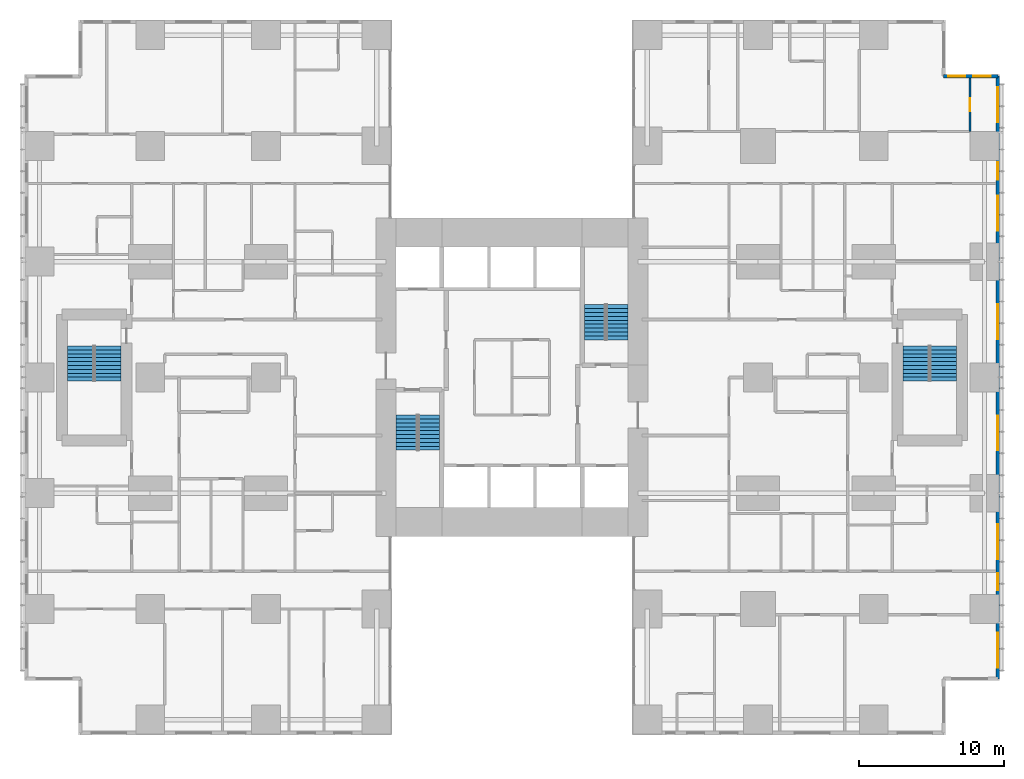
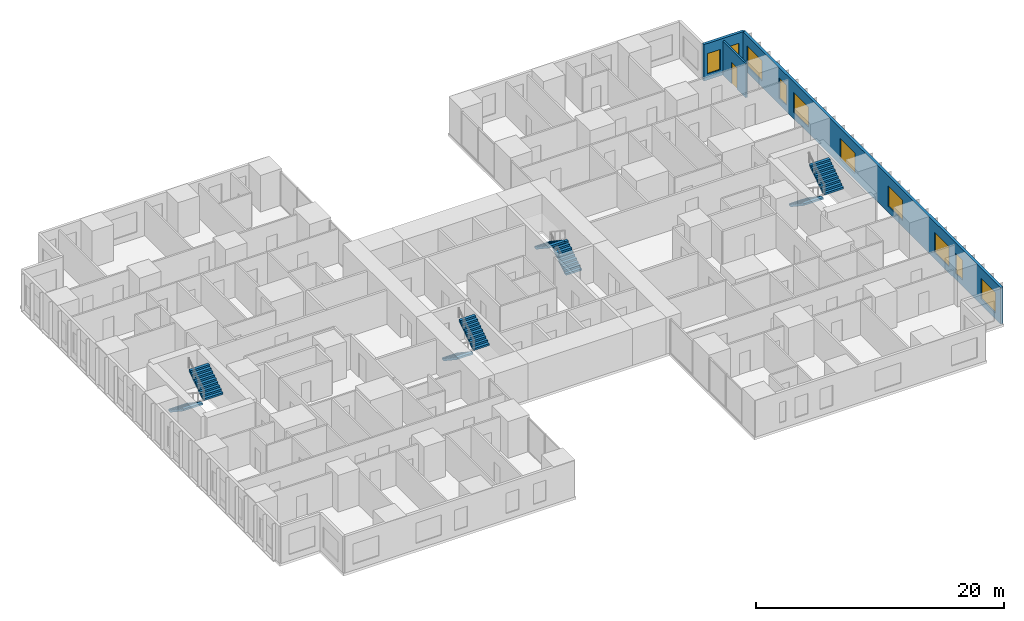
# One storey, part 19 of 20: 10 windows, 8 stair flights, 3 walls, 1 door, 11 openings, 4 elements without a shape of their own.
"""IFC4 building model written with IfcOpenShell, lengths in metres."""

from ifc_helpers import new_model, si_unit, direction, frame, frame_2d, origin, place, context, subcontext, project, spatial, polyline, rectangle, outline, extrude, material, layer, layer_set, type_object, element, fill, aggregate, save


model = new_model("IFC4")

# Units and contexts
model_context = context("Model", 3, precision=1e-05, world=origin(), true_north=direction((0.0, 1.0)))
body_context = subcontext(model_context, "Body", "Model", "MODEL_VIEW")
ifc_project = project(units=[si_unit("LENGTHUNIT", "METRE"), si_unit("AREAUNIT", "SQUARE_METRE"), si_unit("VOLUMEUNIT", "CUBIC_METRE"), si_unit("PLANEANGLEUNIT", "RADIAN"), si_unit("MASSUNIT", "GRAM", prefix="KILO")], contexts=[model_context])

# Site, building, storey
site_placement = place(None, origin())
site = spatial("IfcSite", under=ifc_project, at=site_placement, CompositionType="ELEMENT")
building_placement = place(site_placement, origin())
building = spatial("IfcBuilding", under=site, at=building_placement, Name="Cleftline Residences", CompositionType="ELEMENT")
storey_placement = place(building_placement, frame((0.0, 0.0, 44.0)))
storey = spatial("IfcBuildingStorey", under=building, at=storey_placement, Name="L10", CompositionType="ELEMENT", Elevation=44.0)

# Wall, openings, windows
ifc_material_1 = material(Name="Rendered reinforced concrete blockwork", Category="masonry")
ifc_layer_1 = layer(ifc_material_1, 0.25)
ifc_layer_set_1 = layer_set([ifc_layer_1], Name="EXTERNAL WALL 250")
wall_type_1 = type_object("IfcWallType", Name="EXTERNAL WALL 250", PredefinedType="SOLIDWALL", material=ifc_layer_set_1)
wall_1_placement = place(storey_placement, frame((66.574951171875, 3.175048828125, 0.0), z_axis=(0.0, 0.0, 1.0), x_axis=(0.0, 1.0, 0.0)))
wall_1 = element("IfcWall", 1, at=wall_1_placement, inside=storey, type_object=wall_type_1, Name="External wall", PredefinedType="SOLIDWALL", context=body_context, shape_type="SweptSolid", body=[
    extrude(rectangle(XDim=41.64990234375, YDim=0.25, at=frame_2d((20.824951171875, 0.0))), origin(), (0.0, 0.0, 1.0), 3.60009765625),
])
opening_1_placement = place(wall_1_placement, frame((0.77490234375, 0.0, 0.60009765625)))
opening_1 = element("IfcOpeningElement", 2, at=opening_1_placement, cuts=wall_1, Name="Opening W6", PredefinedType="OPENING", context=body_context, shape_type="SweptSolid", body=[
    extrude(rectangle(XDim=2.39990234375, YDim=2.0, at=frame_2d((1.199951171875, 1.0))), frame((0.0, 0.135009765625, 0.0), z_axis=(0.0, -1.0, 0.0), x_axis=(1.0, 0.0, 0.0)), (0.0, 0.0, 1.0), 0.27001953125),
])
opening_2_placement = place(wall_1_placement, frame((6.10009765625, 0.0, 0.60009765625)))
opening_2 = element("IfcOpeningElement", 3, at=opening_2_placement, cuts=wall_1, Name="Opening W8", PredefinedType="OPENING", context=body_context, shape_type="SweptSolid", body=[
    extrude(rectangle(XDim=1.199951171875, YDim=2.0, at=frame_2d((0.60009765625, 1.0))), frame((0.0, 0.135009765625, 0.0), z_axis=(0.0, -1.0, 0.0), x_axis=(1.0, 0.0, 0.0)), (0.0, 0.0, 1.0), 0.27001953125),
])
opening_3_placement = place(wall_1_placement, frame((8.27490234375, 0.0, 0.60009765625)))
opening_3 = element("IfcOpeningElement", 4, at=opening_3_placement, cuts=wall_1, Name="Opening W6", PredefinedType="OPENING", context=body_context, shape_type="SweptSolid", body=[
    extrude(rectangle(XDim=2.39990234375, YDim=2.0, at=frame_2d((1.199951171875, 1.0))), frame((0.0, 0.135009765625, 0.0), z_axis=(0.0, -1.0, 0.0), x_axis=(1.0, 0.0, 0.0)), (0.0, 0.0, 1.0), 0.27001953125),
])
opening_4_placement = place(wall_1_placement, frame((15.77490234375, 0.0, 0.60009765625)))
opening_4 = element("IfcOpeningElement", 5, at=opening_4_placement, cuts=wall_1, Name="Opening W6", PredefinedType="OPENING", context=body_context, shape_type="SweptSolid", body=[
    extrude(rectangle(XDim=2.39990234375, YDim=2.0, at=frame_2d((1.199951171875, 1.0))), frame((0.0, 0.135009765625, 0.0), z_axis=(0.0, -1.0, 0.0), x_axis=(1.0, 0.0, 0.0)), (0.0, 0.0, 1.0), 0.27001953125),
])
opening_5_placement = place(wall_1_placement, frame((23.47509765625, 0.0, 0.60009765625)))
opening_5 = element("IfcOpeningElement", 6, at=opening_5_placement, cuts=wall_1, Name="Opening W6", PredefinedType="OPENING", context=body_context, shape_type="SweptSolid", body=[
    extrude(rectangle(XDim=2.39990234375, YDim=2.0, at=frame_2d((1.199951171875, 1.0))), frame((0.0, 0.135009765625, 0.0), z_axis=(0.0, -1.0, 0.0), x_axis=(1.0, 0.0, 0.0)), (0.0, 0.0, 1.0), 0.27001953125),
])
opening_6_placement = place(wall_1_placement, frame((30.97509765625, 0.0, 0.60009765625)))
opening_6 = element("IfcOpeningElement", 7, at=opening_6_placement, cuts=wall_1, Name="Opening W6", PredefinedType="OPENING", context=body_context, shape_type="SweptSolid", body=[
    extrude(rectangle(XDim=2.39990234375, YDim=2.0, at=frame_2d((1.199951171875, 1.0))), frame((0.0, 0.135009765625, 0.0), z_axis=(0.0, -1.0, 0.0), x_axis=(1.0, 0.0, 0.0)), (0.0, 0.0, 1.0), 0.27001953125),
])
opening_7_placement = place(wall_1_placement, frame((34.5, 0.0, 0.60009765625)))
opening_7 = element("IfcOpeningElement", 8, at=opening_7_placement, cuts=wall_1, Name="Opening W8", PredefinedType="OPENING", context=body_context, shape_type="SweptSolid", body=[
    extrude(rectangle(XDim=1.199951171875, YDim=2.0, at=frame_2d((0.60009765625, 1.0))), frame((0.0, 0.135009765625, 0.0), z_axis=(0.0, -1.0, 0.0), x_axis=(1.0, 0.0, 0.0)), (0.0, 0.0, 1.0), 0.27001953125),
])
opening_8_placement = place(wall_1_placement, frame((38.47509765625, 0.0, 0.60009765625)))
opening_8 = element("IfcOpeningElement", 9, at=opening_8_placement, cuts=wall_1, Name="Opening W6", PredefinedType="OPENING", context=body_context, shape_type="SweptSolid", body=[
    extrude(rectangle(XDim=2.39990234375, YDim=2.0, at=frame_2d((1.199951171875, 1.0))), frame((0.0, 0.135009765625, 0.0), z_axis=(0.0, -1.0, 0.0), x_axis=(1.0, 0.0, 0.0)), (0.0, 0.0, 1.0), 0.27001953125),
])
ifc_material_2 = material(Name="Aluminium frame, clear double glazing", Category="aluminium")
window_type_1 = type_object("IfcWindowType", Name="WINDOW 1200X2000", PartitioningType="DOUBLE_PANEL_VERTICAL", PredefinedType="WINDOW", material=ifc_material_2)
window_1_placement = place(opening_2_placement, origin())
window_1 = element("IfcWindow", 10, at=window_1_placement, inside=storey, type_object=window_type_1, Name="Window", OverallHeight=2.0, OverallWidth=1.199951171875, PartitioningType="SINGLE_PANEL", PredefinedType="WINDOW", context=body_context, shape_type="SweptSolid", body=[
    extrude(rectangle(XDim=1.199951171875, YDim=2.0, at=frame_2d((0.60009765625, 1.0))), frame((0.0, 0.030029296875, 0.0), z_axis=(0.0, -1.0, 0.0), x_axis=(1.0, 0.0, 0.0)), (0.0, 0.0, 1.0), 0.06005859375),
])
fill(opening_2, window_1)
window_2_placement = place(opening_7_placement, origin())
window_2 = element("IfcWindow", 11, at=window_2_placement, inside=storey, type_object=window_type_1, Name="Window", OverallHeight=2.0, OverallWidth=1.199951171875, PartitioningType="SINGLE_PANEL", PredefinedType="WINDOW", context=body_context, shape_type="SweptSolid", body=[
    extrude(rectangle(XDim=1.199951171875, YDim=2.0, at=frame_2d((0.60009765625, 1.0))), frame((0.0, 0.030029296875, 0.0), z_axis=(0.0, -1.0, 0.0), x_axis=(1.0, 0.0, 0.0)), (0.0, 0.0, 1.0), 0.06005859375),
])
fill(opening_7, window_2)
ifc_material_3 = material(Name="Aluminium frame, clear double glazing", Category="aluminium")
window_type_2 = type_object("IfcWindowType", Name="WINDOW 2400X2000", PartitioningType="DOUBLE_PANEL_VERTICAL", PredefinedType="WINDOW", material=ifc_material_3)
window_3_placement = place(opening_1_placement, origin())
window_3 = element("IfcWindow", 12, at=window_3_placement, inside=storey, type_object=window_type_2, Name="Window", OverallHeight=2.0, OverallWidth=2.39990234375, PartitioningType="SINGLE_PANEL", PredefinedType="WINDOW", context=body_context, shape_type="SweptSolid", body=[
    extrude(rectangle(XDim=2.39990234375, YDim=2.0, at=frame_2d((1.199951171875, 1.0))), frame((0.0, 0.030029296875, 0.0), z_axis=(0.0, -1.0, 0.0), x_axis=(1.0, 0.0, 0.0)), (0.0, 0.0, 1.0), 0.06005859375),
])
fill(opening_1, window_3)
window_4_placement = place(opening_3_placement, origin())
window_4 = element("IfcWindow", 13, at=window_4_placement, inside=storey, type_object=window_type_2, Name="Window", OverallHeight=2.0, OverallWidth=2.39990234375, PartitioningType="SINGLE_PANEL", PredefinedType="WINDOW", context=body_context, shape_type="SweptSolid", body=[
    extrude(rectangle(XDim=2.39990234375, YDim=2.0, at=frame_2d((1.199951171875, 1.0))), frame((0.0, 0.030029296875, 0.0), z_axis=(0.0, -1.0, 0.0), x_axis=(1.0, 0.0, 0.0)), (0.0, 0.0, 1.0), 0.06005859375),
])
fill(opening_3, window_4)
window_5_placement = place(opening_4_placement, origin())
window_5 = element("IfcWindow", 14, at=window_5_placement, inside=storey, type_object=window_type_2, Name="Window", OverallHeight=2.0, OverallWidth=2.39990234375, PartitioningType="SINGLE_PANEL", PredefinedType="WINDOW", context=body_context, shape_type="SweptSolid", body=[
    extrude(rectangle(XDim=2.39990234375, YDim=2.0, at=frame_2d((1.199951171875, 1.0))), frame((0.0, 0.030029296875, 0.0), z_axis=(0.0, -1.0, 0.0), x_axis=(1.0, 0.0, 0.0)), (0.0, 0.0, 1.0), 0.06005859375),
])
fill(opening_4, window_5)
window_6_placement = place(opening_5_placement, origin())
window_6 = element("IfcWindow", 15, at=window_6_placement, inside=storey, type_object=window_type_2, Name="Window", OverallHeight=2.0, OverallWidth=2.39990234375, PartitioningType="SINGLE_PANEL", PredefinedType="WINDOW", context=body_context, shape_type="SweptSolid", body=[
    extrude(rectangle(XDim=2.39990234375, YDim=2.0, at=frame_2d((1.199951171875, 1.0))), frame((0.0, 0.030029296875, 0.0), z_axis=(0.0, -1.0, 0.0), x_axis=(1.0, 0.0, 0.0)), (0.0, 0.0, 1.0), 0.06005859375),
])
fill(opening_5, window_6)
window_7_placement = place(opening_6_placement, origin())
window_7 = element("IfcWindow", 16, at=window_7_placement, inside=storey, type_object=window_type_2, Name="Window", OverallHeight=2.0, OverallWidth=2.39990234375, PartitioningType="SINGLE_PANEL", PredefinedType="WINDOW", context=body_context, shape_type="SweptSolid", body=[
    extrude(rectangle(XDim=2.39990234375, YDim=2.0, at=frame_2d((1.199951171875, 1.0))), frame((0.0, 0.030029296875, 0.0), z_axis=(0.0, -1.0, 0.0), x_axis=(1.0, 0.0, 0.0)), (0.0, 0.0, 1.0), 0.06005859375),
])
fill(opening_6, window_7)
window_8_placement = place(opening_8_placement, origin())
window_8 = element("IfcWindow", 17, at=window_8_placement, inside=storey, type_object=window_type_2, Name="Window", OverallHeight=2.0, OverallWidth=2.39990234375, PartitioningType="SINGLE_PANEL", PredefinedType="WINDOW", context=body_context, shape_type="SweptSolid", body=[
    extrude(rectangle(XDim=2.39990234375, YDim=2.0, at=frame_2d((1.199951171875, 1.0))), frame((0.0, 0.030029296875, 0.0), z_axis=(0.0, -1.0, 0.0), x_axis=(1.0, 0.0, 0.0)), (0.0, 0.0, 1.0), 0.06005859375),
])
fill(opening_8, window_8)

wall_2_placement = place(storey_placement, frame((66.574951171875, 44.824951171875, 0.0), z_axis=(0.0, 0.0, 1.0), x_axis=(-1.0, 0.0, 0.0)))
wall_2 = element("IfcWall", 18, at=wall_2_placement, inside=storey, type_object=wall_type_1, Name="External wall", PredefinedType="SOLIDWALL", context=body_context, shape_type="SweptSolid", body=[
    extrude(rectangle(XDim=3.75, YDim=0.25, at=frame_2d((1.875, 0.0))), origin(), (0.0, 0.0, 1.0), 3.60009765625),
])
opening_9_placement = place(wall_2_placement, frame((0.5, 0.0, 0.60009765625)))
opening_9 = element("IfcOpeningElement", 19, at=opening_9_placement, cuts=wall_2, Name="Opening W8", PredefinedType="OPENING", context=body_context, shape_type="SweptSolid", body=[
    extrude(rectangle(XDim=1.199951171875, YDim=2.0, at=frame_2d((0.60009765625, 1.0))), frame((0.0, 0.135009765625, 0.0), z_axis=(0.0, -1.0, 0.0), x_axis=(1.0, 0.0, 0.0)), (0.0, 0.0, 1.0), 0.27001953125),
])
opening_10_placement = place(wall_2_placement, frame((2.237548828125, 0.0, 0.60009765625)))
opening_10 = element("IfcOpeningElement", 20, at=opening_10_placement, cuts=wall_2, Name="Opening W8", PredefinedType="OPENING", context=body_context, shape_type="SweptSolid", body=[
    extrude(rectangle(XDim=1.199951171875, YDim=2.0, at=frame_2d((0.60009765625, 1.0))), frame((0.0, 0.135009765625, 0.0), z_axis=(0.0, -1.0, 0.0), x_axis=(1.0, 0.0, 0.0)), (0.0, 0.0, 1.0), 0.27001953125),
])
window_9_placement = place(opening_9_placement, origin())
window_9 = element("IfcWindow", 21, at=window_9_placement, inside=storey, type_object=window_type_1, Name="Window", OverallHeight=2.0, OverallWidth=1.199951171875, PartitioningType="SINGLE_PANEL", PredefinedType="WINDOW", context=body_context, shape_type="SweptSolid", body=[
    extrude(rectangle(XDim=1.199951171875, YDim=2.0, at=frame_2d((0.60009765625, 1.0))), frame((0.0, 0.030029296875, 0.0), z_axis=(0.0, -1.0, 0.0), x_axis=(1.0, 0.0, 0.0)), (0.0, 0.0, 1.0), 0.06005859375),
])
fill(opening_9, window_9)
window_10_placement = place(opening_10_placement, origin())
window_10 = element("IfcWindow", 22, at=window_10_placement, inside=storey, type_object=window_type_1, Name="Window", OverallHeight=2.0, OverallWidth=1.199951171875, PartitioningType="SINGLE_PANEL", PredefinedType="WINDOW", context=body_context, shape_type="SweptSolid", body=[
    extrude(rectangle(XDim=1.199951171875, YDim=2.0, at=frame_2d((0.60009765625, 1.0))), frame((0.0, 0.030029296875, 0.0), z_axis=(0.0, -1.0, 0.0), x_axis=(1.0, 0.0, 0.0)), (0.0, 0.0, 1.0), 0.06005859375),
])
fill(opening_10, window_10)

# Wall, opening, door
ifc_material_4 = material(Name="Gypsum board on steel studs", Category="steel")
ifc_layer_2 = layer(ifc_material_4, 0.14990234375)
ifc_layer_set_2 = layer_set([ifc_layer_2], Name="PARTITION 150")
wall_type_2 = type_object("IfcWallType", Name="PARTITION 150", PredefinedType="PARTITIONING", material=ifc_layer_set_2)
wall_3_placement = place(storey_placement, frame((64.64990234375, 41.0, 0.0), z_axis=(0.0, 0.0, 1.0), x_axis=(0.0, 1.0, 0.0)))
wall_3 = element("IfcWall", 23, at=wall_3_placement, inside=storey, type_object=wall_type_2, Name="Partition", PredefinedType="PARTITIONING", context=body_context, shape_type="SweptSolid", body=[
    extrude(rectangle(XDim=3.699951171875, YDim=0.14990234375, at=frame_2d((1.85009765625, 0.0))), origin(), (0.0, 0.0, 1.0), 3.35009765625),
])
opening_11_placement = place(wall_3_placement, frame((1.39990234375, 0.0, 0.0)))
opening_11 = element("IfcOpeningElement", 24, at=opening_11_placement, cuts=wall_3, Name="Opening D1", PredefinedType="OPENING", context=body_context, shape_type="SweptSolid", body=[
    extrude(rectangle(XDim=0.89990234375, YDim=2.10009765625, at=frame_2d((0.449951171875, 1.050048828125))), frame((0.0, 0.0849609375, 0.0), z_axis=(0.0, -1.0, 0.0), x_axis=(1.0, 0.0, 0.0)), (0.0, 0.0, 1.0), 0.169921875),
])
ifc_material_5 = material(Name="Timber veneer on solid core", Category="wood")
door_type = type_object("IfcDoorType", Name="DOOR 900X2100", OperationType="SINGLE_SWING_LEFT", PredefinedType="DOOR", material=ifc_material_5)
door_placement = place(opening_11_placement, origin())
door = element("IfcDoor", 25, at=door_placement, inside=storey, type_object=door_type, Name="Door to walk-in wardrobe", OperationType="SINGLE_SWING_LEFT", OverallHeight=2.10009765625, OverallWidth=0.89990234375, PredefinedType="DOOR", context=body_context, shape_type="SweptSolid", body=[
    extrude(rectangle(XDim=0.89990234375, YDim=2.10009765625, at=frame_2d((0.449951171875, 1.050048828125))), frame((0.0, 0.02490234375, 0.0), z_axis=(0.0, -1.0, 0.0), x_axis=(1.0, 0.0, 0.0)), (0.0, 0.0, 1.0), 0.050048828125),
])
fill(opening_11, door)

# Stair, stair flights
ifc_material_6 = material(Name="Concrete B45, stone treads", Category="masonry")
stair_type_1 = type_object("IfcStairType", Name="STAIR A 1450 WIDE 180 RISER", PredefinedType="HALF_TURN_STAIR", material=ifc_material_6)
stair_1_placement = place(storey_placement, origin())
stair_1 = element("IfcStair", 26, at=stair_1_placement, inside=storey, type_object=stair_type_1, Name="Stair A L10", PredefinedType="HALF_TURN_STAIR")
ifc_material_7 = material(Name="Concrete B45", Category="concrete")
stair_flight_type_1 = type_object("IfcStairFlightType", Name="STAIR A FLIGHT 1450X180", PredefinedType="STRAIGHT", material=ifc_material_7)
stair_flight_1_placement = place(storey_placement, frame((25.72509765625, 21.39990234375, 0.0), z_axis=(0.0, 0.0, 1.0), x_axis=(0.0, -1.0, 0.0)))
stair_flight_1 = element("IfcStairFlight", 27, at=stair_flight_1_placement, type_object=stair_flight_type_1, Name="ST-A flight 1", NumberOfRisers=10, NumberOfTreads=9, PredefinedType="STRAIGHT", RiserHeight=0.18, TreadLength=0.27, context=body_context, shape_type="SweptSolid", body=[
    extrude(outline(polyline([(0.0, 0.0), (0.0, 0.013916015625), (0.0, 0.027587890625), (0.0, 0.04150390625), (0.0, 0.055419921875), (0.0, 0.0693359375), (0.0, 0.0830078125), (0.0, 0.096923828125), (0.0, 0.11083984375), (0.0, 0.12451171875), (0.0, 0.138427734375), (0.0, 0.15234375), (0.0, 0.166259765625), (0.0, 0.179931640625), (0.27001953125, 0.179931640625), (0.27001953125, 0.360107421875), (0.5400390625, 0.360107421875), (0.5400390625, 0.5400390625), (0.81005859375, 0.5400390625), (0.81005859375, 0.719970703125), (1.080078125, 0.719970703125), (1.080078125, 0.89990234375), (1.35009765625, 0.89990234375), (1.35009765625, 1.080078125), (1.6201171875, 1.080078125), (1.6201171875, 1.260009765625), (1.889892578125, 1.260009765625), (1.889892578125, 1.43994140625), (2.159912109375, 1.43994140625), (2.159912109375, 1.6201171875), (2.429931640625, 1.6201171875), (2.429931640625, 1.800048828125), (2.429931640625, 1.772216796875), (2.429931640625, 1.74462890625), (2.429931640625, 1.716796875), (2.429931640625, 1.689208984375), (2.429931640625, 1.661376953125), (2.429931640625, 1.6337890625), (2.429931640625, 1.60595703125), (2.429931640625, 1.578369140625), (2.429931640625, 1.550537109375), (2.429931640625, 1.52294921875), (2.429931640625, 1.495361328125), (2.429931640625, 1.467529296875), (2.429931640625, 1.43994140625), (0.270263671875, 0.0), (0.0, 0.0)])), frame((0.0, 0.72509765625, 0.0), z_axis=(0.0, -1.0, 0.0), x_axis=(1.0, 0.0, 0.0)), (0.0, 0.0, 1.0), 1.449951171875),
])
stair_flight_2_placement = place(storey_placement, frame((27.27490234375, 18.969970703125, 1.800048828125), z_axis=(0.0, 0.0, 1.0), x_axis=(0.0, 1.0, 0.0)))
stair_flight_2 = element("IfcStairFlight", 28, at=stair_flight_2_placement, type_object=stair_flight_type_1, Name="ST-A flight 2", NumberOfRisers=10, NumberOfTreads=9, PredefinedType="STRAIGHT", RiserHeight=0.18, TreadLength=0.27, context=body_context, shape_type="SweptSolid", body=[
    extrude(outline(polyline([(0.0, 0.0), (0.0, 0.013916015625), (0.0, 0.027587890625), (0.0, 0.04150390625), (0.0, 0.055419921875), (0.0, 0.0693359375), (0.0, 0.0830078125), (0.0, 0.096923828125), (0.0, 0.11083984375), (0.0, 0.12451171875), (0.0, 0.138427734375), (0.0, 0.15234375), (0.0, 0.166259765625), (0.0, 0.179931640625), (0.27001953125, 0.179931640625), (0.27001953125, 0.360107421875), (0.5400390625, 0.360107421875), (0.5400390625, 0.5400390625), (0.81005859375, 0.5400390625), (0.81005859375, 0.719970703125), (1.080078125, 0.719970703125), (1.080078125, 0.89990234375), (1.35009765625, 0.89990234375), (1.35009765625, 1.080078125), (1.6201171875, 1.080078125), (1.6201171875, 1.260009765625), (1.889892578125, 1.260009765625), (1.889892578125, 1.43994140625), (2.159912109375, 1.43994140625), (2.159912109375, 1.6201171875), (2.429931640625, 1.6201171875), (2.429931640625, 1.800048828125), (2.429931640625, 1.772216796875), (2.429931640625, 1.74462890625), (2.429931640625, 1.716796875), (2.429931640625, 1.689208984375), (2.429931640625, 1.661376953125), (2.429931640625, 1.6337890625), (2.429931640625, 1.60595703125), (2.429931640625, 1.578369140625), (2.429931640625, 1.550537109375), (2.429931640625, 1.52294921875), (2.429931640625, 1.495361328125), (2.429931640625, 1.467529296875), (2.429931640625, 1.43994140625), (0.270263671875, 0.0), (0.0, 0.0)])), frame((0.0, 0.72509765625, 0.0), z_axis=(0.0, -1.0, 0.0), x_axis=(1.0, 0.0, 0.0)), (0.0, 0.0, 1.0), 1.449951171875),
])
aggregate(stair_1, [stair_flight_1, stair_flight_2])

ifc_material_8 = material(Name="Concrete B45, stone treads", Category="masonry")
stair_type_2 = type_object("IfcStairType", Name="STAIR B 1450 WIDE 180 RISER", PredefinedType="HALF_TURN_STAIR", material=ifc_material_8)
stair_2_placement = place(storey_placement, origin())
stair_2 = element("IfcStair", 29, at=stair_2_placement, inside=storey, type_object=stair_type_2, Name="Stair B L10", PredefinedType="HALF_TURN_STAIR")
ifc_material_9 = material(Name="Concrete B45", Category="concrete")
stair_flight_type_2 = type_object("IfcStairFlightType", Name="STAIR B FLIGHT 1450X180", PredefinedType="STRAIGHT", material=ifc_material_9)
stair_flight_3_placement = place(storey_placement, frame((40.27490234375, 26.60009765625, 0.0), z_axis=(0.0, 0.0, 1.0), x_axis=(0.0, 1.0, 0.0)))
stair_flight_3 = element("IfcStairFlight", 30, at=stair_flight_3_placement, type_object=stair_flight_type_2, Name="ST-B flight 1", NumberOfRisers=10, NumberOfTreads=9, PredefinedType="STRAIGHT", RiserHeight=0.18, TreadLength=0.27, context=body_context, shape_type="SweptSolid", body=[
    extrude(outline(polyline([(0.0, 0.0), (0.0, 0.013916015625), (0.0, 0.027587890625), (0.0, 0.04150390625), (0.0, 0.055419921875), (0.0, 0.0693359375), (0.0, 0.0830078125), (0.0, 0.096923828125), (0.0, 0.11083984375), (0.0, 0.12451171875), (0.0, 0.138427734375), (0.0, 0.15234375), (0.0, 0.166259765625), (0.0, 0.179931640625), (0.27001953125, 0.179931640625), (0.27001953125, 0.360107421875), (0.5400390625, 0.360107421875), (0.5400390625, 0.5400390625), (0.81005859375, 0.5400390625), (0.81005859375, 0.719970703125), (1.080078125, 0.719970703125), (1.080078125, 0.89990234375), (1.35009765625, 0.89990234375), (1.35009765625, 1.080078125), (1.6201171875, 1.080078125), (1.6201171875, 1.260009765625), (1.889892578125, 1.260009765625), (1.889892578125, 1.43994140625), (2.159912109375, 1.43994140625), (2.159912109375, 1.6201171875), (2.429931640625, 1.6201171875), (2.429931640625, 1.800048828125), (2.429931640625, 1.772216796875), (2.429931640625, 1.74462890625), (2.429931640625, 1.716796875), (2.429931640625, 1.689208984375), (2.429931640625, 1.661376953125), (2.429931640625, 1.6337890625), (2.429931640625, 1.60595703125), (2.429931640625, 1.578369140625), (2.429931640625, 1.550537109375), (2.429931640625, 1.52294921875), (2.429931640625, 1.495361328125), (2.429931640625, 1.467529296875), (2.429931640625, 1.43994140625), (0.270263671875, 0.0), (0.0, 0.0)])), frame((0.0, 0.72509765625, 0.0), z_axis=(0.0, -1.0, 0.0), x_axis=(1.0, 0.0, 0.0)), (0.0, 0.0, 1.0), 1.449951171875),
])
stair_flight_4_placement = place(storey_placement, frame((38.72509765625, 29.030029296875, 1.800048828125), z_axis=(0.0, 0.0, 1.0), x_axis=(0.0, -1.0, 0.0)))
stair_flight_4 = element("IfcStairFlight", 31, at=stair_flight_4_placement, type_object=stair_flight_type_2, Name="ST-B flight 2", NumberOfRisers=10, NumberOfTreads=9, PredefinedType="STRAIGHT", RiserHeight=0.18, TreadLength=0.27, context=body_context, shape_type="SweptSolid", body=[
    extrude(outline(polyline([(0.0, 0.0), (0.0, 0.013916015625), (0.0, 0.027587890625), (0.0, 0.04150390625), (0.0, 0.055419921875), (0.0, 0.0693359375), (0.0, 0.0830078125), (0.0, 0.096923828125), (0.0, 0.11083984375), (0.0, 0.12451171875), (0.0, 0.138427734375), (0.0, 0.15234375), (0.0, 0.166259765625), (0.0, 0.179931640625), (0.27001953125, 0.179931640625), (0.27001953125, 0.360107421875), (0.5400390625, 0.360107421875), (0.5400390625, 0.5400390625), (0.81005859375, 0.5400390625), (0.81005859375, 0.719970703125), (1.080078125, 0.719970703125), (1.080078125, 0.89990234375), (1.35009765625, 0.89990234375), (1.35009765625, 1.080078125), (1.6201171875, 1.080078125), (1.6201171875, 1.260009765625), (1.889892578125, 1.260009765625), (1.889892578125, 1.43994140625), (2.159912109375, 1.43994140625), (2.159912109375, 1.6201171875), (2.429931640625, 1.6201171875), (2.429931640625, 1.800048828125), (2.429931640625, 1.772216796875), (2.429931640625, 1.74462890625), (2.429931640625, 1.716796875), (2.429931640625, 1.689208984375), (2.429931640625, 1.661376953125), (2.429931640625, 1.6337890625), (2.429931640625, 1.60595703125), (2.429931640625, 1.578369140625), (2.429931640625, 1.550537109375), (2.429931640625, 1.52294921875), (2.429931640625, 1.495361328125), (2.429931640625, 1.467529296875), (2.429931640625, 1.43994140625), (0.270263671875, 0.0), (0.0, 0.0)])), frame((0.0, 0.72509765625, 0.0), z_axis=(0.0, -1.0, 0.0), x_axis=(1.0, 0.0, 0.0)), (0.0, 0.0, 1.0), 1.449951171875),
])
aggregate(stair_2, [stair_flight_3, stair_flight_4])

ifc_material_10 = material(Name="Concrete B45, stone treads", Category="masonry")
stair_type_3 = type_object("IfcStairType", Name="STAIR E 1800 WIDE 180 RISER", PredefinedType="HALF_TURN_STAIR", material=ifc_material_10)
stair_3_placement = place(storey_placement, origin())
stair_3 = element("IfcStair", 32, at=stair_3_placement, inside=storey, type_object=stair_type_3, Name="Stair E L10", PredefinedType="HALF_TURN_STAIR")
ifc_material_11 = material(Name="Concrete B45", Category="concrete")
stair_flight_type_3 = type_object("IfcStairFlightType", Name="STAIR E FLIGHT 1800X180", PredefinedType="STRAIGHT", material=ifc_material_11)
stair_flight_5_placement = place(storey_placement, frame((60.925048828125, 26.175048828125, 0.0), z_axis=(0.0, 0.0, 1.0), x_axis=(0.0, -1.0, 0.0)))
stair_flight_5 = element("IfcStairFlight", 33, at=stair_flight_5_placement, type_object=stair_flight_type_3, Name="ST-E flight 1", NumberOfRisers=10, NumberOfTreads=9, PredefinedType="STRAIGHT", RiserHeight=0.18, TreadLength=0.27, context=body_context, shape_type="SweptSolid", body=[
    extrude(outline(polyline([(0.0, 0.0), (0.0, 0.013916015625), (0.0, 0.027587890625), (0.0, 0.04150390625), (0.0, 0.055419921875), (0.0, 0.0693359375), (0.0, 0.0830078125), (0.0, 0.096923828125), (0.0, 0.11083984375), (0.0, 0.12451171875), (0.0, 0.138427734375), (0.0, 0.15234375), (0.0, 0.166259765625), (0.0, 0.179931640625), (0.27001953125, 0.179931640625), (0.27001953125, 0.360107421875), (0.5400390625, 0.360107421875), (0.5400390625, 0.5400390625), (0.81005859375, 0.5400390625), (0.81005859375, 0.719970703125), (1.080078125, 0.719970703125), (1.080078125, 0.89990234375), (1.35009765625, 0.89990234375), (1.35009765625, 1.080078125), (1.6201171875, 1.080078125), (1.6201171875, 1.260009765625), (1.889892578125, 1.260009765625), (1.889892578125, 1.43994140625), (2.159912109375, 1.43994140625), (2.159912109375, 1.6201171875), (2.429931640625, 1.6201171875), (2.429931640625, 1.800048828125), (2.429931640625, 1.772216796875), (2.429931640625, 1.74462890625), (2.429931640625, 1.716796875), (2.429931640625, 1.689208984375), (2.429931640625, 1.661376953125), (2.429931640625, 1.6337890625), (2.429931640625, 1.60595703125), (2.429931640625, 1.578369140625), (2.429931640625, 1.550537109375), (2.429931640625, 1.52294921875), (2.429931640625, 1.495361328125), (2.429931640625, 1.467529296875), (2.429931640625, 1.43994140625), (0.270263671875, 0.0), (0.0, 0.0)])), frame((0.0, 0.89990234375, 0.0), z_axis=(0.0, -1.0, 0.0), x_axis=(1.0, 0.0, 0.0)), (0.0, 0.0, 1.0), 1.800048828125),
])
stair_flight_6_placement = place(storey_placement, frame((62.824951171875, 23.7451171875, 1.800048828125), z_axis=(0.0, 0.0, 1.0), x_axis=(0.0, 1.0, 0.0)))
stair_flight_6 = element("IfcStairFlight", 34, at=stair_flight_6_placement, type_object=stair_flight_type_3, Name="ST-E flight 2", NumberOfRisers=10, NumberOfTreads=9, PredefinedType="STRAIGHT", RiserHeight=0.18, TreadLength=0.27, context=body_context, shape_type="SweptSolid", body=[
    extrude(outline(polyline([(0.0, 0.0), (0.0, 0.013916015625), (0.0, 0.027587890625), (0.0, 0.04150390625), (0.0, 0.055419921875), (0.0, 0.0693359375), (0.0, 0.0830078125), (0.0, 0.096923828125), (0.0, 0.11083984375), (0.0, 0.12451171875), (0.0, 0.138427734375), (0.0, 0.15234375), (0.0, 0.166259765625), (0.0, 0.179931640625), (0.27001953125, 0.179931640625), (0.27001953125, 0.360107421875), (0.5400390625, 0.360107421875), (0.5400390625, 0.5400390625), (0.81005859375, 0.5400390625), (0.81005859375, 0.719970703125), (1.080078125, 0.719970703125), (1.080078125, 0.89990234375), (1.35009765625, 0.89990234375), (1.35009765625, 1.080078125), (1.6201171875, 1.080078125), (1.6201171875, 1.260009765625), (1.889892578125, 1.260009765625), (1.889892578125, 1.43994140625), (2.159912109375, 1.43994140625), (2.159912109375, 1.6201171875), (2.429931640625, 1.6201171875), (2.429931640625, 1.800048828125), (2.429931640625, 1.772216796875), (2.429931640625, 1.74462890625), (2.429931640625, 1.716796875), (2.429931640625, 1.689208984375), (2.429931640625, 1.661376953125), (2.429931640625, 1.6337890625), (2.429931640625, 1.60595703125), (2.429931640625, 1.578369140625), (2.429931640625, 1.550537109375), (2.429931640625, 1.52294921875), (2.429931640625, 1.495361328125), (2.429931640625, 1.467529296875), (2.429931640625, 1.43994140625), (0.270263671875, 0.0), (0.0, 0.0)])), frame((0.0, 0.89990234375, 0.0), z_axis=(0.0, -1.0, 0.0), x_axis=(1.0, 0.0, 0.0)), (0.0, 0.0, 1.0), 1.800048828125),
])
aggregate(stair_3, [stair_flight_5, stair_flight_6])

ifc_material_12 = material(Name="Concrete B45, stone treads", Category="masonry")
stair_type_4 = type_object("IfcStairType", Name="STAIR W 1800 WIDE 180 RISER", PredefinedType="HALF_TURN_STAIR", material=ifc_material_12)
stair_4_placement = place(storey_placement, origin())
stair_4 = element("IfcStair", 35, at=stair_4_placement, inside=storey, type_object=stair_type_4, Name="Stair W L10", PredefinedType="HALF_TURN_STAIR")
ifc_material_13 = material(Name="Concrete B45", Category="concrete")
stair_flight_type_4 = type_object("IfcStairFlightType", Name="STAIR W FLIGHT 1800X180", PredefinedType="STRAIGHT", material=ifc_material_13)
stair_flight_7_placement = place(storey_placement, frame((3.175048828125, 26.175048828125, 0.0), z_axis=(0.0, 0.0, 1.0), x_axis=(0.0, -1.0, 0.0)))
stair_flight_7 = element("IfcStairFlight", 36, at=stair_flight_7_placement, type_object=stair_flight_type_4, Name="ST-W flight 1", NumberOfRisers=10, NumberOfTreads=9, PredefinedType="STRAIGHT", RiserHeight=0.18, TreadLength=0.27, context=body_context, shape_type="SweptSolid", body=[
    extrude(outline(polyline([(0.0, 0.0), (0.0, 0.013916015625), (0.0, 0.027587890625), (0.0, 0.04150390625), (0.0, 0.055419921875), (0.0, 0.0693359375), (0.0, 0.0830078125), (0.0, 0.096923828125), (0.0, 0.11083984375), (0.0, 0.12451171875), (0.0, 0.138427734375), (0.0, 0.15234375), (0.0, 0.166259765625), (0.0, 0.179931640625), (0.27001953125, 0.179931640625), (0.27001953125, 0.360107421875), (0.5400390625, 0.360107421875), (0.5400390625, 0.5400390625), (0.81005859375, 0.5400390625), (0.81005859375, 0.719970703125), (1.080078125, 0.719970703125), (1.080078125, 0.89990234375), (1.35009765625, 0.89990234375), (1.35009765625, 1.080078125), (1.6201171875, 1.080078125), (1.6201171875, 1.260009765625), (1.889892578125, 1.260009765625), (1.889892578125, 1.43994140625), (2.159912109375, 1.43994140625), (2.159912109375, 1.6201171875), (2.429931640625, 1.6201171875), (2.429931640625, 1.800048828125), (2.429931640625, 1.772216796875), (2.429931640625, 1.74462890625), (2.429931640625, 1.716796875), (2.429931640625, 1.689208984375), (2.429931640625, 1.661376953125), (2.429931640625, 1.6337890625), (2.429931640625, 1.60595703125), (2.429931640625, 1.578369140625), (2.429931640625, 1.550537109375), (2.429931640625, 1.52294921875), (2.429931640625, 1.495361328125), (2.429931640625, 1.467529296875), (2.429931640625, 1.43994140625), (0.270263671875, 0.0), (0.0, 0.0)])), frame((0.0, 0.89990234375, 0.0), z_axis=(0.0, -1.0, 0.0), x_axis=(1.0, 0.0, 0.0)), (0.0, 0.0, 1.0), 1.800048828125),
])
stair_flight_8_placement = place(storey_placement, frame((5.074951171875, 23.7451171875, 1.800048828125), z_axis=(0.0, 0.0, 1.0), x_axis=(0.0, 1.0, 0.0)))
stair_flight_8 = element("IfcStairFlight", 37, at=stair_flight_8_placement, type_object=stair_flight_type_4, Name="ST-W flight 2", NumberOfRisers=10, NumberOfTreads=9, PredefinedType="STRAIGHT", RiserHeight=0.18, TreadLength=0.27, context=body_context, shape_type="SweptSolid", body=[
    extrude(outline(polyline([(0.0, 0.0), (0.0, 0.013916015625), (0.0, 0.027587890625), (0.0, 0.04150390625), (0.0, 0.055419921875), (0.0, 0.0693359375), (0.0, 0.0830078125), (0.0, 0.096923828125), (0.0, 0.11083984375), (0.0, 0.12451171875), (0.0, 0.138427734375), (0.0, 0.15234375), (0.0, 0.166259765625), (0.0, 0.179931640625), (0.27001953125, 0.179931640625), (0.27001953125, 0.360107421875), (0.5400390625, 0.360107421875), (0.5400390625, 0.5400390625), (0.81005859375, 0.5400390625), (0.81005859375, 0.719970703125), (1.080078125, 0.719970703125), (1.080078125, 0.89990234375), (1.35009765625, 0.89990234375), (1.35009765625, 1.080078125), (1.6201171875, 1.080078125), (1.6201171875, 1.260009765625), (1.889892578125, 1.260009765625), (1.889892578125, 1.43994140625), (2.159912109375, 1.43994140625), (2.159912109375, 1.6201171875), (2.429931640625, 1.6201171875), (2.429931640625, 1.800048828125), (2.429931640625, 1.772216796875), (2.429931640625, 1.74462890625), (2.429931640625, 1.716796875), (2.429931640625, 1.689208984375), (2.429931640625, 1.661376953125), (2.429931640625, 1.6337890625), (2.429931640625, 1.60595703125), (2.429931640625, 1.578369140625), (2.429931640625, 1.550537109375), (2.429931640625, 1.52294921875), (2.429931640625, 1.495361328125), (2.429931640625, 1.467529296875), (2.429931640625, 1.43994140625), (0.270263671875, 0.0), (0.0, 0.0)])), frame((0.0, 0.89990234375, 0.0), z_axis=(0.0, -1.0, 0.0), x_axis=(1.0, 0.0, 0.0)), (0.0, 0.0, 1.0), 1.800048828125),
])
aggregate(stair_4, [stair_flight_7, stair_flight_8])

save(model, "model.ifc")
